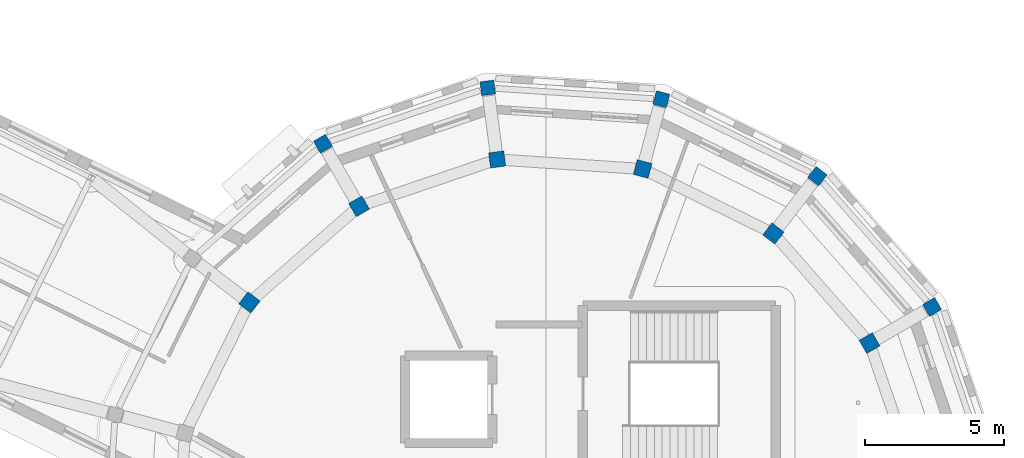
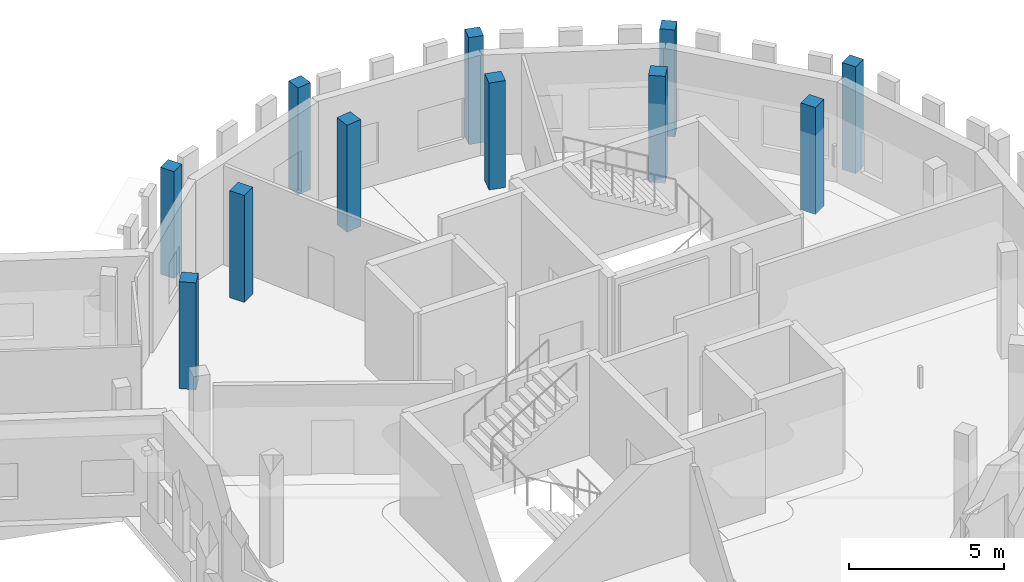
# One storey, part 23 of 90: 11 columns.
"""IFC4 building model written with IfcOpenShell, lengths in metres."""

from ifc_helpers import new_model, si_unit, direction, frame, origin, origin_2d, place, context, subcontext, project, spatial, rectangle, extrude, material, material_profile, profile_set, type_object, element, save


model = new_model("IFC4")

# Units and contexts
model_context = context("Model", 3, precision=1e-05, world=origin(), true_north=direction((0.0, 1.0)))
body_context = subcontext(model_context, "Body", "Model", "MODEL_VIEW")
ifc_project = project(units=[si_unit("LENGTHUNIT", "METRE"), si_unit("AREAUNIT", "SQUARE_METRE"), si_unit("VOLUMEUNIT", "CUBIC_METRE"), si_unit("PLANEANGLEUNIT", "RADIAN"), si_unit("MASSUNIT", "GRAM", prefix="KILO")], contexts=[model_context])

# Site, building, storey
site_placement = place(None, origin())
site = spatial("IfcSite", under=ifc_project, at=site_placement, CompositionType="ELEMENT")
building_placement = place(site_placement, origin())
building = spatial("IfcBuilding", under=site, at=building_placement, Name="Wrenclough Park School", CompositionType="ELEMENT")
storey_placement = place(building_placement, frame((0.0, 0.0, 8.39990234375)))
storey = spatial("IfcBuildingStorey", under=building, at=storey_placement, Name="L02", CompositionType="ELEMENT", Elevation=8.39990234375)

# Columns
ifc_material = material(Name="Concrete C40/50", Category="concrete")
ifc_material_profile_1 = material_profile(ifc_material, rectangle(XDim=0.5, YDim=0.5, at=origin_2d()), Name="RC COL 500x500")
ifc_profile_set_1 = profile_set([ifc_material_profile_1], Name="Concrete C40/50")
column_type_1 = type_object("IfcColumnType", Name="STR-COL-RC500", PredefinedType="COLUMN", material=ifc_profile_set_1)
for number, where, z_axis, x_axis, name in (
    (1, (188.399658203125, 101.52490234375, 0.0), (0.0, 0.0, 1.0), (-0.5, 0.866025403784, 0.0), "D5 L02 column D5-OUT-02"),
    (2, (184.2705078125, 106.2333984375, 0.0), (0.0, 0.0, 1.0), (-0.793353340291, 0.608761429009, 0.0), "D5 L02 column D5-OUT-03"),
    (3, (178.654052734375, 109.003173828125, 0.0), (0.0, 0.0, 1.0), (-0.965925826289, 0.258819045103, 0.0), "D5 L02 column D5-OUT-04"),
    (4, (172.405029296875, 109.41259765625, 0.0), (0.0, 0.0, 1.0), (-0.991444861374, -0.13052619222, 0.0), "D5 L02 column D5-OUT-05"),
    (5, (166.47509765625, 107.399658203125, 0.0), (0.0, 0.0, 1.0), (-0.866025403784, -0.5, 0.0), "D5 L02 column D5-OUT-06"),
):
    element("IfcColumn", number, at=place(storey_placement, frame(where, z_axis=z_axis, x_axis=x_axis)), inside=storey, type_object=column_type_1, Name=name, PredefinedType="COLUMN", context=body_context, shape_type="SweptSolid", body=[
        extrude(rectangle(XDim=0.5, YDim=0.5, at=origin_2d()), origin(), (0.0, 0.0, 1.0), 4.2001953125),
    ])
ifc_material_profile_2 = material_profile(ifc_material, rectangle(XDim=0.550048828125, YDim=0.550048828125, at=origin_2d()), Name="RC COL 550x550")
ifc_profile_set_2 = profile_set([ifc_material_profile_2], Name="Concrete C40/50")
column_type_2 = type_object("IfcColumnType", Name="STR-COL-RC550", PredefinedType="COLUMN", material=ifc_profile_set_2)
for number, where, z_axis, x_axis, name in (
    (6, (186.14794921875, 100.22509765625, 0.0), (0.0, 0.0, 1.0), (-0.5, 0.866025403784, 0.0), "D5 L02 column D5-MID-02"),
    (7, (182.687744140625, 104.170654296875, 0.0), (0.0, 0.0, 1.0), (-0.793353340291, 0.608761429009, 0.0), "D5 L02 column D5-MID-03"),
    (8, (177.981201171875, 106.49169921875, 0.0), (0.0, 0.0, 1.0), (-0.965925826289, 0.258819045103, 0.0), "D5 L02 column D5-MID-04"),
    (9, (172.744384765625, 106.8349609375, 0.0), (0.0, 0.0, 1.0), (-0.991444861374, -0.13052619222, 0.0), "D5 L02 column D5-MID-05"),
    (10, (167.77490234375, 105.14794921875, 0.0), (0.0, 0.0, 1.0), (-0.866025403784, -0.5, 0.0), "D5 L02 column D5-MID-06"),
    (11, (163.829345703125, 101.687744140625, 0.0), (0.0, 0.0, 1.0), (-0.608761429009, -0.793353340291, 0.0), "D5 L02 column D5-MID-07"),
):
    element("IfcColumn", number, at=place(storey_placement, frame(where, z_axis=z_axis, x_axis=x_axis)), inside=storey, type_object=column_type_2, Name=name, PredefinedType="COLUMN", context=body_context, shape_type="SweptSolid", body=[
        extrude(rectangle(XDim=0.550048828125, YDim=0.550048828125, at=origin_2d()), origin(), (0.0, 0.0, 1.0), 4.2001953125),
    ])

save(model, "model.ifc")
